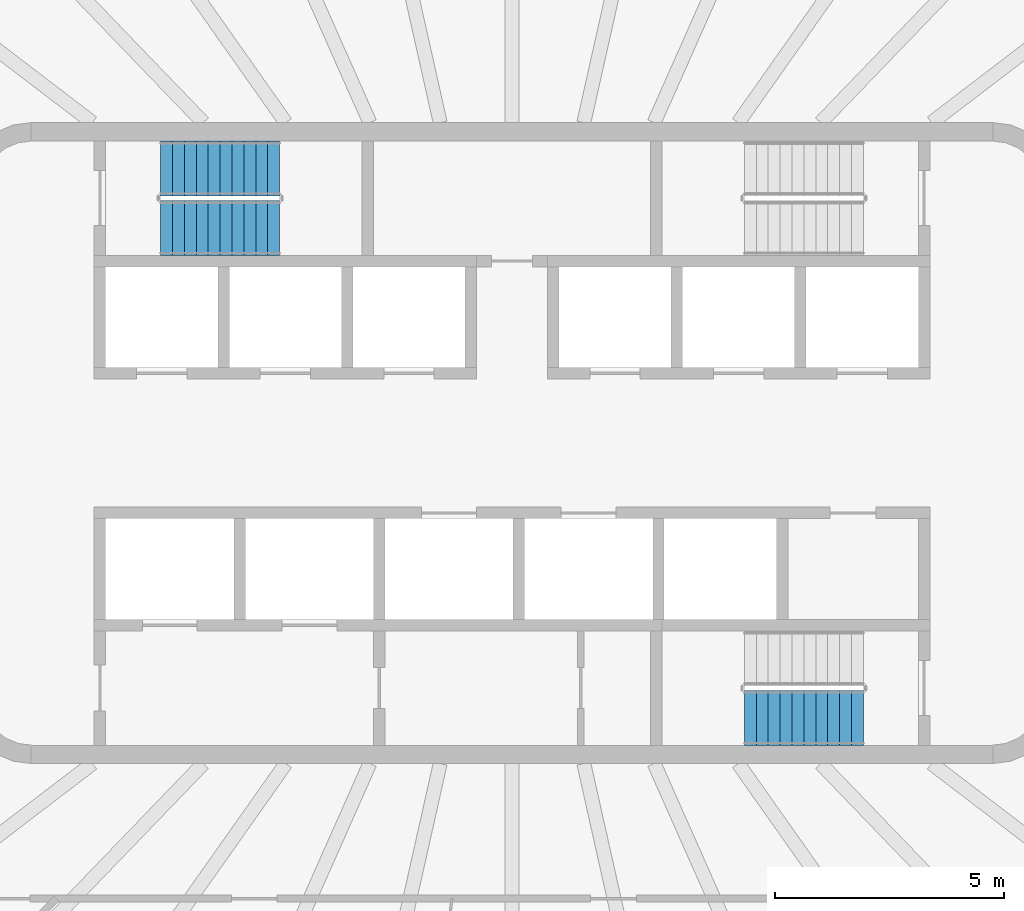
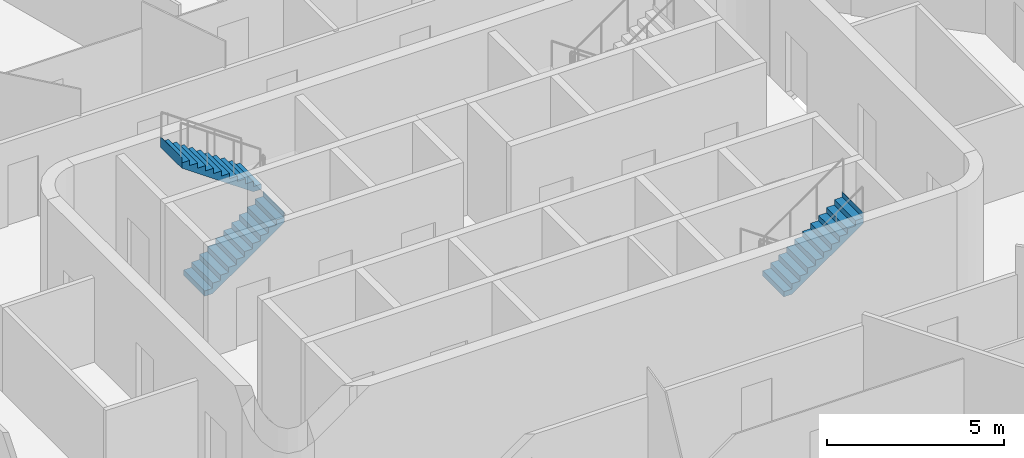
# One storey, part 14 of 20: 3 stair flights, 2 elements without a shape of their own.
"""IFC4 building model written with IfcOpenShell, lengths in metres."""

from ifc_helpers import new_model, si_unit, direction, frame, origin, place, context, subcontext, project, spatial, triangles, material, type_object, element, aggregate, save


model = new_model("IFC4")

# Units and contexts
model_context = context("Model", 3, precision=1e-05, world=origin(), true_north=direction((0.0, 1.0)))
body_context = subcontext(model_context, "Body", "Model", "MODEL_VIEW")
ifc_project = project(units=[si_unit("LENGTHUNIT", "METRE"), si_unit("AREAUNIT", "SQUARE_METRE"), si_unit("VOLUMEUNIT", "CUBIC_METRE"), si_unit("PLANEANGLEUNIT", "RADIAN"), si_unit("MASSUNIT", "GRAM", prefix="KILO")], contexts=[model_context])

# Site, building, storey
site_placement = place(None, origin())
site = spatial("IfcSite", under=ifc_project, at=site_placement, CompositionType="ELEMENT")
building_placement = place(site_placement, origin())
building = spatial("IfcBuilding", under=site, at=building_placement, Name="Sahrelin Media Tower", CompositionType="ELEMENT")
storey_placement = place(building_placement, frame((0.0, 0.0, 267.0)))
storey = spatial("IfcBuildingStorey", under=building, at=storey_placement, Name="L58", CompositionType="ELEMENT", Elevation=267.0)

# Stair, stair flights
ifc_material = material(Name="Concrete C40/50", Category="concrete")
stair_type = type_object("IfcStairType", Name="Exit stair 1200", PredefinedType="HALF_TURN_STAIR", material=ifc_material)
placement = place(storey_placement, origin())
stair_1 = element("IfcStair", 1, at=placement, inside=storey, type_object=stair_type, Name="L58 Exit stair ST1", PredefinedType="HALF_TURN_STAIR")
stair_flight_type = type_object("IfcStairFlightType", Name="Stair flight 1200", PredefinedType="STRAIGHT", material=ifc_material)
stair_flight_1_placement = place(storey_placement, frame((-7.675048828125, 4.699951171875, 0.0), z_axis=(0.0, 0.0, 1.0), x_axis=(1.0, 0.0, 0.0)))
stair_flight_1 = element("IfcStairFlight", 2, at=stair_flight_1_placement, type_object=stair_flight_type, Name="ST1 flight 1", NumberOfRisers=11, NumberOfTreads=10, PredefinedType="STRAIGHT", RiserHeight=0.181818182, TreadLength=0.26, context=body_context, shape_type="Tessellation", body=[
    triangles([(0.261474609375, 0.60009765625, 0.0), (0.261474609375, 0.300048828125, 0.0), (0.261474609375, 0.0, 0.0), (0.261474609375, -0.300048828125, 0.0), (0.261474609375, -0.60009765625, 0.0), (2.60009765625, 0.60009765625, 1.63525390625), (2.60009765625, 0.300048828125, 1.63525390625), (2.60009765625, 0.0, 1.63525390625), (2.60009765625, -0.300048828125, 1.63525390625), (2.60009765625, -0.60009765625, 1.63525390625), (2.60009765625, 0.60009765625, 2.0), (2.60009765625, 0.300048828125, 2.0), (2.60009765625, 0.0, 2.0), (2.60009765625, -0.300048828125, 2.0), (2.60009765625, -0.60009765625, 2.0), (2.597900390625, 0.60009765625, 2.0), (2.597900390625, 0.300048828125, 2.0), (2.597900390625, 0.0, 2.0), (2.597900390625, -0.300048828125, 2.0), (2.597900390625, -0.60009765625, 2.0), (2.597900390625, 0.60009765625, 1.818115234375), (2.597900390625, 0.300048828125, 1.818115234375), (2.597900390625, 0.0, 1.818115234375), (2.597900390625, -0.300048828125, 1.818115234375), (2.597900390625, -0.60009765625, 1.818115234375), (2.340087890625, 0.60009765625, 1.818115234375), (2.340087890625, 0.300048828125, 1.818115234375), (2.340087890625, 0.0, 1.818115234375), (2.340087890625, -0.300048828125, 1.818115234375), (2.340087890625, -0.60009765625, 1.818115234375), (2.340087890625, 0.60009765625, 1.636474609375), (2.340087890625, 0.300048828125, 1.636474609375), (2.340087890625, 0.0, 1.636474609375), (2.340087890625, -0.300048828125, 1.636474609375), (2.340087890625, -0.60009765625, 1.636474609375), (2.080078125, 0.60009765625, 1.636474609375), (2.080078125, 0.300048828125, 1.636474609375), (2.080078125, 0.0, 1.636474609375), (2.080078125, -0.300048828125, 1.636474609375), (2.080078125, -0.60009765625, 1.636474609375), (2.080078125, 0.60009765625, 1.45458984375), (2.080078125, 0.300048828125, 1.45458984375), (2.080078125, 0.0, 1.45458984375), (2.080078125, -0.300048828125, 1.45458984375), (2.080078125, -0.60009765625, 1.45458984375), (1.820068359375, 0.60009765625, 1.45458984375), (1.820068359375, 0.300048828125, 1.45458984375), (1.820068359375, 0.0, 1.45458984375), (1.820068359375, -0.300048828125, 1.45458984375), (1.820068359375, -0.60009765625, 1.45458984375), (1.820068359375, 0.60009765625, 1.272705078125), (1.820068359375, 0.300048828125, 1.272705078125), (1.820068359375, 0.0, 1.272705078125), (1.820068359375, -0.300048828125, 1.272705078125), (1.820068359375, -0.60009765625, 1.272705078125), (1.56005859375, 0.60009765625, 1.272705078125), (1.56005859375, 0.300048828125, 1.272705078125), (1.56005859375, 0.0, 1.272705078125), (1.56005859375, -0.300048828125, 1.272705078125), (1.56005859375, -0.60009765625, 1.272705078125), (1.56005859375, 0.60009765625, 1.0908203125), (1.56005859375, 0.300048828125, 1.0908203125), (1.56005859375, 0.0, 1.0908203125), (1.56005859375, -0.300048828125, 1.0908203125), (1.56005859375, -0.60009765625, 1.0908203125), (1.300048828125, 0.60009765625, 1.0908203125), (1.300048828125, 0.300048828125, 1.0908203125), (1.300048828125, 0.0, 1.0908203125), (1.300048828125, -0.300048828125, 1.0908203125), (1.300048828125, -0.60009765625, 1.0908203125), (1.300048828125, 0.60009765625, 0.9091796875), (1.300048828125, 0.300048828125, 0.9091796875), (1.300048828125, 0.0, 0.9091796875), (1.300048828125, -0.300048828125, 0.9091796875), (1.300048828125, -0.60009765625, 0.9091796875), (1.0400390625, 0.60009765625, 0.9091796875), (1.0400390625, 0.300048828125, 0.9091796875), (1.0400390625, 0.0, 0.9091796875), (1.0400390625, -0.300048828125, 0.9091796875), (1.0400390625, -0.60009765625, 0.9091796875), (1.0400390625, 0.60009765625, 0.727294921875), (1.0400390625, 0.300048828125, 0.727294921875), (1.0400390625, 0.0, 0.727294921875), (1.0400390625, -0.300048828125, 0.727294921875), (1.0400390625, -0.60009765625, 0.727294921875), (0.780029296875, 0.60009765625, 0.727294921875), (0.780029296875, 0.300048828125, 0.727294921875), (0.780029296875, 0.0, 0.727294921875), (0.780029296875, -0.300048828125, 0.727294921875), (0.780029296875, -0.60009765625, 0.727294921875), (0.780029296875, 0.60009765625, 0.54541015625), (0.780029296875, 0.300048828125, 0.54541015625), (0.780029296875, 0.0, 0.54541015625), (0.780029296875, -0.300048828125, 0.54541015625), (0.780029296875, -0.60009765625, 0.54541015625), (0.52001953125, 0.60009765625, 0.54541015625), (0.52001953125, 0.300048828125, 0.54541015625), (0.52001953125, 0.0, 0.54541015625), (0.52001953125, -0.300048828125, 0.54541015625), (0.52001953125, -0.60009765625, 0.54541015625), (0.52001953125, 0.60009765625, 0.363525390625), (0.52001953125, 0.300048828125, 0.363525390625), (0.52001953125, 0.0, 0.363525390625), (0.52001953125, -0.300048828125, 0.363525390625), (0.52001953125, -0.60009765625, 0.363525390625), (0.260009765625, 0.60009765625, 0.363525390625), (0.260009765625, 0.300048828125, 0.363525390625), (0.260009765625, 0.0, 0.363525390625), (0.260009765625, -0.300048828125, 0.363525390625), (0.260009765625, -0.60009765625, 0.363525390625), (0.260009765625, 0.60009765625, 0.181884765625), (0.260009765625, 0.300048828125, 0.181884765625), (0.260009765625, 0.0, 0.181884765625), (0.260009765625, -0.300048828125, 0.181884765625), (0.260009765625, -0.60009765625, 0.181884765625), (0.0, 0.60009765625, 0.181884765625), (0.0, 0.300048828125, 0.181884765625), (0.0, 0.0, 0.181884765625), (0.0, -0.300048828125, 0.181884765625), (0.0, -0.60009765625, 0.181884765625), (0.0, 0.60009765625, 0.0), (0.0, 0.300048828125, 0.0), (0.0, 0.0, 0.0), (0.0, -0.300048828125, 0.0), (0.0, -0.60009765625, 0.0)], [[1, 6, 7], [1, 7, 2], [2, 7, 8], [2, 8, 3], [3, 8, 9], [3, 9, 4], [4, 9, 10], [4, 10, 5], [6, 11, 12], [6, 12, 7], [7, 12, 13], [7, 13, 8], [8, 13, 14], [8, 14, 9], [9, 14, 15], [9, 15, 10], [11, 16, 17], [11, 17, 12], [12, 17, 18], [12, 18, 13], [13, 18, 19], [13, 19, 14], [14, 19, 20], [14, 20, 15], [16, 21, 22], [16, 22, 17], [17, 22, 23], [17, 23, 18], [18, 23, 24], [18, 24, 19], [19, 24, 25], [19, 25, 20], [21, 26, 27], [21, 27, 22], [22, 27, 28], [22, 28, 23], [23, 28, 29], [23, 29, 24], [24, 29, 30], [24, 30, 25], [26, 31, 32], [26, 32, 27], [27, 32, 33], [27, 33, 28], [28, 33, 34], [28, 34, 29], [29, 34, 35], [29, 35, 30], [31, 36, 37], [31, 37, 32], [32, 37, 38], [32, 38, 33], [33, 38, 39], [33, 39, 34], [34, 39, 40], [34, 40, 35], [36, 41, 42], [36, 42, 37], [37, 42, 43], [37, 43, 38], [38, 43, 44], [38, 44, 39], [39, 44, 45], [39, 45, 40], [41, 46, 47], [41, 47, 42], [42, 47, 48], [42, 48, 43], [43, 48, 49], [43, 49, 44], [44, 49, 50], [44, 50, 45], [46, 51, 52], [46, 52, 47], [47, 52, 53], [47, 53, 48], [48, 53, 54], [48, 54, 49], [49, 54, 55], [49, 55, 50], [51, 56, 57], [51, 57, 52], [52, 57, 58], [52, 58, 53], [53, 58, 59], [53, 59, 54], [54, 59, 60], [54, 60, 55], [56, 61, 62], [56, 62, 57], [57, 62, 63], [57, 63, 58], [58, 63, 64], [58, 64, 59], [59, 64, 65], [59, 65, 60], [61, 66, 67], [61, 67, 62], [62, 67, 68], [62, 68, 63], [63, 68, 69], [63, 69, 64], [64, 69, 70], [64, 70, 65], [66, 71, 72], [66, 72, 67], [67, 72, 73], [67, 73, 68], [68, 73, 74], [68, 74, 69], [69, 74, 75], [69, 75, 70], [71, 76, 77], [71, 77, 72], [72, 77, 78], [72, 78, 73], [73, 78, 79], [73, 79, 74], [74, 79, 80], [74, 80, 75], [76, 81, 82], [76, 82, 77], [77, 82, 83], [77, 83, 78], [78, 83, 84], [78, 84, 79], [79, 84, 85], [79, 85, 80], [81, 86, 87], [81, 87, 82], [82, 87, 88], [82, 88, 83], [83, 88, 89], [83, 89, 84], [84, 89, 90], [84, 90, 85], [86, 91, 92], [86, 92, 87], [87, 92, 93], [87, 93, 88], [88, 93, 94], [88, 94, 89], [89, 94, 95], [89, 95, 90], [91, 96, 97], [91, 97, 92], [92, 97, 98], [92, 98, 93], [93, 98, 99], [93, 99, 94], [94, 99, 100], [94, 100, 95], [96, 101, 102], [96, 102, 97], [97, 102, 103], [97, 103, 98], [98, 103, 104], [98, 104, 99], [99, 104, 105], [99, 105, 100], [101, 106, 107], [101, 107, 102], [102, 107, 108], [102, 108, 103], [103, 108, 109], [103, 109, 104], [104, 109, 110], [104, 110, 105], [106, 111, 112], [106, 112, 107], [107, 112, 113], [107, 113, 108], [108, 113, 114], [108, 114, 109], [109, 114, 115], [109, 115, 110], [111, 116, 117], [111, 117, 112], [112, 117, 118], [112, 118, 113], [113, 118, 119], [113, 119, 114], [114, 119, 120], [114, 120, 115], [116, 121, 122], [116, 122, 117], [117, 122, 123], [117, 123, 118], [118, 123, 124], [118, 124, 119], [119, 124, 125], [119, 125, 120], [121, 1, 2], [121, 2, 122], [122, 2, 3], [122, 3, 123], [123, 3, 4], [123, 4, 124], [124, 4, 5], [124, 5, 125], [115, 120, 125], [111, 121, 116], [115, 105, 110], [111, 106, 101], [105, 95, 100], [101, 96, 91], [95, 85, 90], [91, 86, 81], [85, 75, 80], [81, 76, 71], [75, 65, 70], [71, 66, 61], [65, 55, 60], [61, 56, 51], [55, 45, 50], [51, 46, 41], [45, 35, 40], [41, 36, 31], [35, 25, 30], [31, 26, 21], [25, 15, 20], [21, 16, 11], [125, 5, 115], [121, 111, 1], [25, 10, 15], [21, 11, 6], [105, 115, 5], [101, 1, 111], [35, 10, 25], [31, 21, 6], [95, 105, 5], [91, 1, 101], [45, 10, 35], [41, 31, 6], [85, 95, 5], [81, 1, 91], [55, 10, 45], [51, 41, 6], [75, 85, 5], [71, 1, 81], [65, 10, 55], [61, 51, 6], [5, 10, 75], [1, 71, 6], [75, 10, 65], [71, 61, 6]], closed=True),
])
stair_flight_2_placement = place(storey_placement, frame((-5.074951171875, 6.0, 2.0), z_axis=(0.0, 0.0, 1.0), x_axis=(-1.0, 0.0, 0.0)))
stair_flight_2 = element("IfcStairFlight", 3, at=stair_flight_2_placement, type_object=stair_flight_type, Name="ST1 flight 2", NumberOfRisers=11, NumberOfTreads=10, PredefinedType="STRAIGHT", RiserHeight=0.181818182, TreadLength=0.26, context=body_context, shape_type="Tessellation", body=[
    triangles([(0.261474609375, 0.60009765625, 0.0), (0.261474609375, 0.300048828125, 0.0), (0.261474609375, 0.0, 0.0), (0.261474609375, -0.300048828125, 0.0), (0.261474609375, -0.60009765625, 0.0), (2.60009765625, 0.60009765625, 1.63525390625), (2.60009765625, 0.300048828125, 1.63525390625), (2.60009765625, 0.0, 1.63525390625), (2.60009765625, -0.300048828125, 1.63525390625), (2.60009765625, -0.60009765625, 1.63525390625), (2.60009765625, 0.60009765625, 2.0), (2.60009765625, 0.300048828125, 2.0), (2.60009765625, 0.0, 2.0), (2.60009765625, -0.300048828125, 2.0), (2.60009765625, -0.60009765625, 2.0), (2.597900390625, 0.60009765625, 2.0), (2.597900390625, 0.300048828125, 2.0), (2.597900390625, 0.0, 2.0), (2.597900390625, -0.300048828125, 2.0), (2.597900390625, -0.60009765625, 2.0), (2.597900390625, 0.60009765625, 1.818115234375), (2.597900390625, 0.300048828125, 1.818115234375), (2.597900390625, 0.0, 1.818115234375), (2.597900390625, -0.300048828125, 1.818115234375), (2.597900390625, -0.60009765625, 1.818115234375), (2.340087890625, 0.60009765625, 1.818115234375), (2.340087890625, 0.300048828125, 1.818115234375), (2.340087890625, 0.0, 1.818115234375), (2.340087890625, -0.300048828125, 1.818115234375), (2.340087890625, -0.60009765625, 1.818115234375), (2.340087890625, 0.60009765625, 1.636474609375), (2.340087890625, 0.300048828125, 1.636474609375), (2.340087890625, 0.0, 1.636474609375), (2.340087890625, -0.300048828125, 1.636474609375), (2.340087890625, -0.60009765625, 1.636474609375), (2.080078125, 0.60009765625, 1.636474609375), (2.080078125, 0.300048828125, 1.636474609375), (2.080078125, 0.0, 1.636474609375), (2.080078125, -0.300048828125, 1.636474609375), (2.080078125, -0.60009765625, 1.636474609375), (2.080078125, 0.60009765625, 1.45458984375), (2.080078125, 0.300048828125, 1.45458984375), (2.080078125, 0.0, 1.45458984375), (2.080078125, -0.300048828125, 1.45458984375), (2.080078125, -0.60009765625, 1.45458984375), (1.820068359375, 0.60009765625, 1.45458984375), (1.820068359375, 0.300048828125, 1.45458984375), (1.820068359375, 0.0, 1.45458984375), (1.820068359375, -0.300048828125, 1.45458984375), (1.820068359375, -0.60009765625, 1.45458984375), (1.820068359375, 0.60009765625, 1.272705078125), (1.820068359375, 0.300048828125, 1.272705078125), (1.820068359375, 0.0, 1.272705078125), (1.820068359375, -0.300048828125, 1.272705078125), (1.820068359375, -0.60009765625, 1.272705078125), (1.56005859375, 0.60009765625, 1.272705078125), (1.56005859375, 0.300048828125, 1.272705078125), (1.56005859375, 0.0, 1.272705078125), (1.56005859375, -0.300048828125, 1.272705078125), (1.56005859375, -0.60009765625, 1.272705078125), (1.56005859375, 0.60009765625, 1.0908203125), (1.56005859375, 0.300048828125, 1.0908203125), (1.56005859375, 0.0, 1.0908203125), (1.56005859375, -0.300048828125, 1.0908203125), (1.56005859375, -0.60009765625, 1.0908203125), (1.300048828125, 0.60009765625, 1.0908203125), (1.300048828125, 0.300048828125, 1.0908203125), (1.300048828125, 0.0, 1.0908203125), (1.300048828125, -0.300048828125, 1.0908203125), (1.300048828125, -0.60009765625, 1.0908203125), (1.300048828125, 0.60009765625, 0.9091796875), (1.300048828125, 0.300048828125, 0.9091796875), (1.300048828125, 0.0, 0.9091796875), (1.300048828125, -0.300048828125, 0.9091796875), (1.300048828125, -0.60009765625, 0.9091796875), (1.0400390625, 0.60009765625, 0.9091796875), (1.0400390625, 0.300048828125, 0.9091796875), (1.0400390625, 0.0, 0.9091796875), (1.0400390625, -0.300048828125, 0.9091796875), (1.0400390625, -0.60009765625, 0.9091796875), (1.0400390625, 0.60009765625, 0.727294921875), (1.0400390625, 0.300048828125, 0.727294921875), (1.0400390625, 0.0, 0.727294921875), (1.0400390625, -0.300048828125, 0.727294921875), (1.0400390625, -0.60009765625, 0.727294921875), (0.780029296875, 0.60009765625, 0.727294921875), (0.780029296875, 0.300048828125, 0.727294921875), (0.780029296875, 0.0, 0.727294921875), (0.780029296875, -0.300048828125, 0.727294921875), (0.780029296875, -0.60009765625, 0.727294921875), (0.780029296875, 0.60009765625, 0.54541015625), (0.780029296875, 0.300048828125, 0.54541015625), (0.780029296875, 0.0, 0.54541015625), (0.780029296875, -0.300048828125, 0.54541015625), (0.780029296875, -0.60009765625, 0.54541015625), (0.52001953125, 0.60009765625, 0.54541015625), (0.52001953125, 0.300048828125, 0.54541015625), (0.52001953125, 0.0, 0.54541015625), (0.52001953125, -0.300048828125, 0.54541015625), (0.52001953125, -0.60009765625, 0.54541015625), (0.52001953125, 0.60009765625, 0.363525390625), (0.52001953125, 0.300048828125, 0.363525390625), (0.52001953125, 0.0, 0.363525390625), (0.52001953125, -0.300048828125, 0.363525390625), (0.52001953125, -0.60009765625, 0.363525390625), (0.260009765625, 0.60009765625, 0.363525390625), (0.260009765625, 0.300048828125, 0.363525390625), (0.260009765625, 0.0, 0.363525390625), (0.260009765625, -0.300048828125, 0.363525390625), (0.260009765625, -0.60009765625, 0.363525390625), (0.260009765625, 0.60009765625, 0.181884765625), (0.260009765625, 0.300048828125, 0.181884765625), (0.260009765625, 0.0, 0.181884765625), (0.260009765625, -0.300048828125, 0.181884765625), (0.260009765625, -0.60009765625, 0.181884765625), (0.0, 0.60009765625, 0.181884765625), (0.0, 0.300048828125, 0.181884765625), (0.0, 0.0, 0.181884765625), (0.0, -0.300048828125, 0.181884765625), (0.0, -0.60009765625, 0.181884765625), (0.0, 0.60009765625, 0.0), (0.0, 0.300048828125, 0.0), (0.0, 0.0, 0.0), (0.0, -0.300048828125, 0.0), (0.0, -0.60009765625, 0.0)], [[1, 6, 7], [1, 7, 2], [2, 7, 8], [2, 8, 3], [3, 8, 9], [3, 9, 4], [4, 9, 10], [4, 10, 5], [6, 11, 12], [6, 12, 7], [7, 12, 13], [7, 13, 8], [8, 13, 14], [8, 14, 9], [9, 14, 15], [9, 15, 10], [11, 16, 17], [11, 17, 12], [12, 17, 18], [12, 18, 13], [13, 18, 19], [13, 19, 14], [14, 19, 20], [14, 20, 15], [16, 21, 22], [16, 22, 17], [17, 22, 23], [17, 23, 18], [18, 23, 24], [18, 24, 19], [19, 24, 25], [19, 25, 20], [21, 26, 27], [21, 27, 22], [22, 27, 28], [22, 28, 23], [23, 28, 29], [23, 29, 24], [24, 29, 30], [24, 30, 25], [26, 31, 32], [26, 32, 27], [27, 32, 33], [27, 33, 28], [28, 33, 34], [28, 34, 29], [29, 34, 35], [29, 35, 30], [31, 36, 37], [31, 37, 32], [32, 37, 38], [32, 38, 33], [33, 38, 39], [33, 39, 34], [34, 39, 40], [34, 40, 35], [36, 41, 42], [36, 42, 37], [37, 42, 43], [37, 43, 38], [38, 43, 44], [38, 44, 39], [39, 44, 45], [39, 45, 40], [41, 46, 47], [41, 47, 42], [42, 47, 48], [42, 48, 43], [43, 48, 49], [43, 49, 44], [44, 49, 50], [44, 50, 45], [46, 51, 52], [46, 52, 47], [47, 52, 53], [47, 53, 48], [48, 53, 54], [48, 54, 49], [49, 54, 55], [49, 55, 50], [51, 56, 57], [51, 57, 52], [52, 57, 58], [52, 58, 53], [53, 58, 59], [53, 59, 54], [54, 59, 60], [54, 60, 55], [56, 61, 62], [56, 62, 57], [57, 62, 63], [57, 63, 58], [58, 63, 64], [58, 64, 59], [59, 64, 65], [59, 65, 60], [61, 66, 67], [61, 67, 62], [62, 67, 68], [62, 68, 63], [63, 68, 69], [63, 69, 64], [64, 69, 70], [64, 70, 65], [66, 71, 72], [66, 72, 67], [67, 72, 73], [67, 73, 68], [68, 73, 74], [68, 74, 69], [69, 74, 75], [69, 75, 70], [71, 76, 77], [71, 77, 72], [72, 77, 78], [72, 78, 73], [73, 78, 79], [73, 79, 74], [74, 79, 80], [74, 80, 75], [76, 81, 82], [76, 82, 77], [77, 82, 83], [77, 83, 78], [78, 83, 84], [78, 84, 79], [79, 84, 85], [79, 85, 80], [81, 86, 87], [81, 87, 82], [82, 87, 88], [82, 88, 83], [83, 88, 89], [83, 89, 84], [84, 89, 90], [84, 90, 85], [86, 91, 92], [86, 92, 87], [87, 92, 93], [87, 93, 88], [88, 93, 94], [88, 94, 89], [89, 94, 95], [89, 95, 90], [91, 96, 97], [91, 97, 92], [92, 97, 98], [92, 98, 93], [93, 98, 99], [93, 99, 94], [94, 99, 100], [94, 100, 95], [96, 101, 102], [96, 102, 97], [97, 102, 103], [97, 103, 98], [98, 103, 104], [98, 104, 99], [99, 104, 105], [99, 105, 100], [101, 106, 107], [101, 107, 102], [102, 107, 108], [102, 108, 103], [103, 108, 109], [103, 109, 104], [104, 109, 110], [104, 110, 105], [106, 111, 112], [106, 112, 107], [107, 112, 113], [107, 113, 108], [108, 113, 114], [108, 114, 109], [109, 114, 115], [109, 115, 110], [111, 116, 117], [111, 117, 112], [112, 117, 118], [112, 118, 113], [113, 118, 119], [113, 119, 114], [114, 119, 120], [114, 120, 115], [116, 121, 122], [116, 122, 117], [117, 122, 123], [117, 123, 118], [118, 123, 124], [118, 124, 119], [119, 124, 125], [119, 125, 120], [121, 1, 2], [121, 2, 122], [122, 2, 3], [122, 3, 123], [123, 3, 4], [123, 4, 124], [124, 4, 5], [124, 5, 125], [115, 120, 125], [111, 121, 116], [115, 105, 110], [111, 106, 101], [105, 95, 100], [101, 96, 91], [95, 85, 90], [91, 86, 81], [85, 75, 80], [81, 76, 71], [75, 65, 70], [71, 66, 61], [65, 55, 60], [61, 56, 51], [55, 45, 50], [51, 46, 41], [45, 35, 40], [41, 36, 31], [35, 25, 30], [31, 26, 21], [25, 15, 20], [21, 16, 11], [125, 5, 115], [121, 111, 1], [25, 10, 15], [21, 11, 6], [105, 115, 5], [101, 1, 111], [35, 10, 25], [31, 21, 6], [95, 105, 5], [91, 1, 101], [45, 10, 35], [41, 31, 6], [85, 95, 5], [81, 1, 91], [55, 10, 45], [51, 41, 6], [75, 85, 5], [71, 1, 81], [65, 10, 55], [61, 51, 6], [5, 10, 75], [1, 71, 6], [75, 10, 65], [71, 61, 6]], closed=True),
])
aggregate(stair_1, [stair_flight_1, stair_flight_2])

# Stair, stair flight
stair_2 = element("IfcStair", 4, at=placement, inside=storey, type_object=stair_type, Name="L58 Exit stair ST2", PredefinedType="HALF_TURN_STAIR")
stair_flight_3_placement = place(storey_placement, frame((5.074951171875, -6.0, 2.0), z_axis=(0.0, 0.0, 1.0), x_axis=(1.0, 0.0, 0.0)))
stair_flight_3 = element("IfcStairFlight", 5, at=stair_flight_3_placement, type_object=stair_flight_type, Name="ST2 flight 2", NumberOfRisers=11, NumberOfTreads=10, PredefinedType="STRAIGHT", RiserHeight=0.181818182, TreadLength=0.26, context=body_context, shape_type="Tessellation", body=[
    triangles([(0.261474609375, 0.60009765625, 0.0), (0.261474609375, 0.300048828125, 0.0), (0.261474609375, 0.0, 0.0), (0.261474609375, -0.300048828125, 0.0), (0.261474609375, -0.60009765625, 0.0), (2.60009765625, 0.60009765625, 1.63525390625), (2.60009765625, 0.300048828125, 1.63525390625), (2.60009765625, 0.0, 1.63525390625), (2.60009765625, -0.300048828125, 1.63525390625), (2.60009765625, -0.60009765625, 1.63525390625), (2.60009765625, 0.60009765625, 2.0), (2.60009765625, 0.300048828125, 2.0), (2.60009765625, 0.0, 2.0), (2.60009765625, -0.300048828125, 2.0), (2.60009765625, -0.60009765625, 2.0), (2.597900390625, 0.60009765625, 2.0), (2.597900390625, 0.300048828125, 2.0), (2.597900390625, 0.0, 2.0), (2.597900390625, -0.300048828125, 2.0), (2.597900390625, -0.60009765625, 2.0), (2.597900390625, 0.60009765625, 1.818115234375), (2.597900390625, 0.300048828125, 1.818115234375), (2.597900390625, 0.0, 1.818115234375), (2.597900390625, -0.300048828125, 1.818115234375), (2.597900390625, -0.60009765625, 1.818115234375), (2.340087890625, 0.60009765625, 1.818115234375), (2.340087890625, 0.300048828125, 1.818115234375), (2.340087890625, 0.0, 1.818115234375), (2.340087890625, -0.300048828125, 1.818115234375), (2.340087890625, -0.60009765625, 1.818115234375), (2.340087890625, 0.60009765625, 1.636474609375), (2.340087890625, 0.300048828125, 1.636474609375), (2.340087890625, 0.0, 1.636474609375), (2.340087890625, -0.300048828125, 1.636474609375), (2.340087890625, -0.60009765625, 1.636474609375), (2.080078125, 0.60009765625, 1.636474609375), (2.080078125, 0.300048828125, 1.636474609375), (2.080078125, 0.0, 1.636474609375), (2.080078125, -0.300048828125, 1.636474609375), (2.080078125, -0.60009765625, 1.636474609375), (2.080078125, 0.60009765625, 1.45458984375), (2.080078125, 0.300048828125, 1.45458984375), (2.080078125, 0.0, 1.45458984375), (2.080078125, -0.300048828125, 1.45458984375), (2.080078125, -0.60009765625, 1.45458984375), (1.820068359375, 0.60009765625, 1.45458984375), (1.820068359375, 0.300048828125, 1.45458984375), (1.820068359375, 0.0, 1.45458984375), (1.820068359375, -0.300048828125, 1.45458984375), (1.820068359375, -0.60009765625, 1.45458984375), (1.820068359375, 0.60009765625, 1.272705078125), (1.820068359375, 0.300048828125, 1.272705078125), (1.820068359375, 0.0, 1.272705078125), (1.820068359375, -0.300048828125, 1.272705078125), (1.820068359375, -0.60009765625, 1.272705078125), (1.56005859375, 0.60009765625, 1.272705078125), (1.56005859375, 0.300048828125, 1.272705078125), (1.56005859375, 0.0, 1.272705078125), (1.56005859375, -0.300048828125, 1.272705078125), (1.56005859375, -0.60009765625, 1.272705078125), (1.56005859375, 0.60009765625, 1.0908203125), (1.56005859375, 0.300048828125, 1.0908203125), (1.56005859375, 0.0, 1.0908203125), (1.56005859375, -0.300048828125, 1.0908203125), (1.56005859375, -0.60009765625, 1.0908203125), (1.300048828125, 0.60009765625, 1.0908203125), (1.300048828125, 0.300048828125, 1.0908203125), (1.300048828125, 0.0, 1.0908203125), (1.300048828125, -0.300048828125, 1.0908203125), (1.300048828125, -0.60009765625, 1.0908203125), (1.300048828125, 0.60009765625, 0.9091796875), (1.300048828125, 0.300048828125, 0.9091796875), (1.300048828125, 0.0, 0.9091796875), (1.300048828125, -0.300048828125, 0.9091796875), (1.300048828125, -0.60009765625, 0.9091796875), (1.0400390625, 0.60009765625, 0.9091796875), (1.0400390625, 0.300048828125, 0.9091796875), (1.0400390625, 0.0, 0.9091796875), (1.0400390625, -0.300048828125, 0.9091796875), (1.0400390625, -0.60009765625, 0.9091796875), (1.0400390625, 0.60009765625, 0.727294921875), (1.0400390625, 0.300048828125, 0.727294921875), (1.0400390625, 0.0, 0.727294921875), (1.0400390625, -0.300048828125, 0.727294921875), (1.0400390625, -0.60009765625, 0.727294921875), (0.780029296875, 0.60009765625, 0.727294921875), (0.780029296875, 0.300048828125, 0.727294921875), (0.780029296875, 0.0, 0.727294921875), (0.780029296875, -0.300048828125, 0.727294921875), (0.780029296875, -0.60009765625, 0.727294921875), (0.780029296875, 0.60009765625, 0.54541015625), (0.780029296875, 0.300048828125, 0.54541015625), (0.780029296875, 0.0, 0.54541015625), (0.780029296875, -0.300048828125, 0.54541015625), (0.780029296875, -0.60009765625, 0.54541015625), (0.52001953125, 0.60009765625, 0.54541015625), (0.52001953125, 0.300048828125, 0.54541015625), (0.52001953125, 0.0, 0.54541015625), (0.52001953125, -0.300048828125, 0.54541015625), (0.52001953125, -0.60009765625, 0.54541015625), (0.52001953125, 0.60009765625, 0.363525390625), (0.52001953125, 0.300048828125, 0.363525390625), (0.52001953125, 0.0, 0.363525390625), (0.52001953125, -0.300048828125, 0.363525390625), (0.52001953125, -0.60009765625, 0.363525390625), (0.260009765625, 0.60009765625, 0.363525390625), (0.260009765625, 0.300048828125, 0.363525390625), (0.260009765625, 0.0, 0.363525390625), (0.260009765625, -0.300048828125, 0.363525390625), (0.260009765625, -0.60009765625, 0.363525390625), (0.260009765625, 0.60009765625, 0.181884765625), (0.260009765625, 0.300048828125, 0.181884765625), (0.260009765625, 0.0, 0.181884765625), (0.260009765625, -0.300048828125, 0.181884765625), (0.260009765625, -0.60009765625, 0.181884765625), (0.0, 0.60009765625, 0.181884765625), (0.0, 0.300048828125, 0.181884765625), (0.0, 0.0, 0.181884765625), (0.0, -0.300048828125, 0.181884765625), (0.0, -0.60009765625, 0.181884765625), (0.0, 0.60009765625, 0.0), (0.0, 0.300048828125, 0.0), (0.0, 0.0, 0.0), (0.0, -0.300048828125, 0.0), (0.0, -0.60009765625, 0.0)], [[1, 6, 7], [1, 7, 2], [2, 7, 8], [2, 8, 3], [3, 8, 9], [3, 9, 4], [4, 9, 10], [4, 10, 5], [6, 11, 12], [6, 12, 7], [7, 12, 13], [7, 13, 8], [8, 13, 14], [8, 14, 9], [9, 14, 15], [9, 15, 10], [11, 16, 17], [11, 17, 12], [12, 17, 18], [12, 18, 13], [13, 18, 19], [13, 19, 14], [14, 19, 20], [14, 20, 15], [16, 21, 22], [16, 22, 17], [17, 22, 23], [17, 23, 18], [18, 23, 24], [18, 24, 19], [19, 24, 25], [19, 25, 20], [21, 26, 27], [21, 27, 22], [22, 27, 28], [22, 28, 23], [23, 28, 29], [23, 29, 24], [24, 29, 30], [24, 30, 25], [26, 31, 32], [26, 32, 27], [27, 32, 33], [27, 33, 28], [28, 33, 34], [28, 34, 29], [29, 34, 35], [29, 35, 30], [31, 36, 37], [31, 37, 32], [32, 37, 38], [32, 38, 33], [33, 38, 39], [33, 39, 34], [34, 39, 40], [34, 40, 35], [36, 41, 42], [36, 42, 37], [37, 42, 43], [37, 43, 38], [38, 43, 44], [38, 44, 39], [39, 44, 45], [39, 45, 40], [41, 46, 47], [41, 47, 42], [42, 47, 48], [42, 48, 43], [43, 48, 49], [43, 49, 44], [44, 49, 50], [44, 50, 45], [46, 51, 52], [46, 52, 47], [47, 52, 53], [47, 53, 48], [48, 53, 54], [48, 54, 49], [49, 54, 55], [49, 55, 50], [51, 56, 57], [51, 57, 52], [52, 57, 58], [52, 58, 53], [53, 58, 59], [53, 59, 54], [54, 59, 60], [54, 60, 55], [56, 61, 62], [56, 62, 57], [57, 62, 63], [57, 63, 58], [58, 63, 64], [58, 64, 59], [59, 64, 65], [59, 65, 60], [61, 66, 67], [61, 67, 62], [62, 67, 68], [62, 68, 63], [63, 68, 69], [63, 69, 64], [64, 69, 70], [64, 70, 65], [66, 71, 72], [66, 72, 67], [67, 72, 73], [67, 73, 68], [68, 73, 74], [68, 74, 69], [69, 74, 75], [69, 75, 70], [71, 76, 77], [71, 77, 72], [72, 77, 78], [72, 78, 73], [73, 78, 79], [73, 79, 74], [74, 79, 80], [74, 80, 75], [76, 81, 82], [76, 82, 77], [77, 82, 83], [77, 83, 78], [78, 83, 84], [78, 84, 79], [79, 84, 85], [79, 85, 80], [81, 86, 87], [81, 87, 82], [82, 87, 88], [82, 88, 83], [83, 88, 89], [83, 89, 84], [84, 89, 90], [84, 90, 85], [86, 91, 92], [86, 92, 87], [87, 92, 93], [87, 93, 88], [88, 93, 94], [88, 94, 89], [89, 94, 95], [89, 95, 90], [91, 96, 97], [91, 97, 92], [92, 97, 98], [92, 98, 93], [93, 98, 99], [93, 99, 94], [94, 99, 100], [94, 100, 95], [96, 101, 102], [96, 102, 97], [97, 102, 103], [97, 103, 98], [98, 103, 104], [98, 104, 99], [99, 104, 105], [99, 105, 100], [101, 106, 107], [101, 107, 102], [102, 107, 108], [102, 108, 103], [103, 108, 109], [103, 109, 104], [104, 109, 110], [104, 110, 105], [106, 111, 112], [106, 112, 107], [107, 112, 113], [107, 113, 108], [108, 113, 114], [108, 114, 109], [109, 114, 115], [109, 115, 110], [111, 116, 117], [111, 117, 112], [112, 117, 118], [112, 118, 113], [113, 118, 119], [113, 119, 114], [114, 119, 120], [114, 120, 115], [116, 121, 122], [116, 122, 117], [117, 122, 123], [117, 123, 118], [118, 123, 124], [118, 124, 119], [119, 124, 125], [119, 125, 120], [121, 1, 2], [121, 2, 122], [122, 2, 3], [122, 3, 123], [123, 3, 4], [123, 4, 124], [124, 4, 5], [124, 5, 125], [115, 120, 125], [111, 121, 116], [115, 105, 110], [111, 106, 101], [105, 95, 100], [101, 96, 91], [95, 85, 90], [91, 86, 81], [85, 75, 80], [81, 76, 71], [75, 65, 70], [71, 66, 61], [65, 55, 60], [61, 56, 51], [55, 45, 50], [51, 46, 41], [45, 35, 40], [41, 36, 31], [35, 25, 30], [31, 26, 21], [25, 15, 20], [21, 16, 11], [125, 5, 115], [121, 111, 1], [25, 10, 15], [21, 11, 6], [105, 115, 5], [101, 1, 111], [35, 10, 25], [31, 21, 6], [95, 105, 5], [91, 1, 101], [45, 10, 35], [41, 31, 6], [85, 95, 5], [81, 1, 91], [55, 10, 45], [51, 41, 6], [75, 85, 5], [71, 1, 81], [65, 10, 55], [61, 51, 6], [5, 10, 75], [1, 71, 6], [75, 10, 65], [71, 61, 6]], closed=True),
])
aggregate(stair_2, [stair_flight_3])

save(model, "model.ifc")
